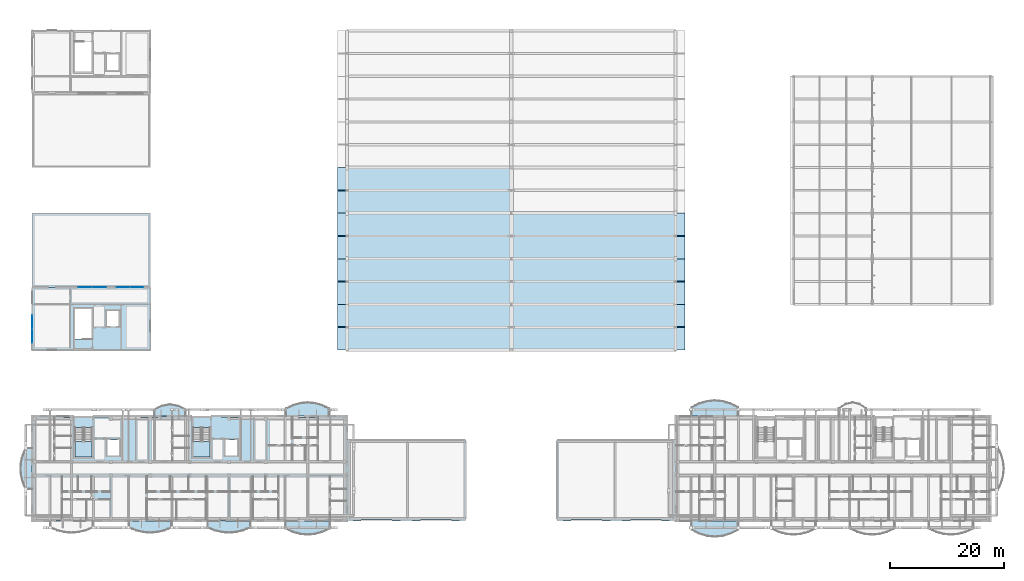
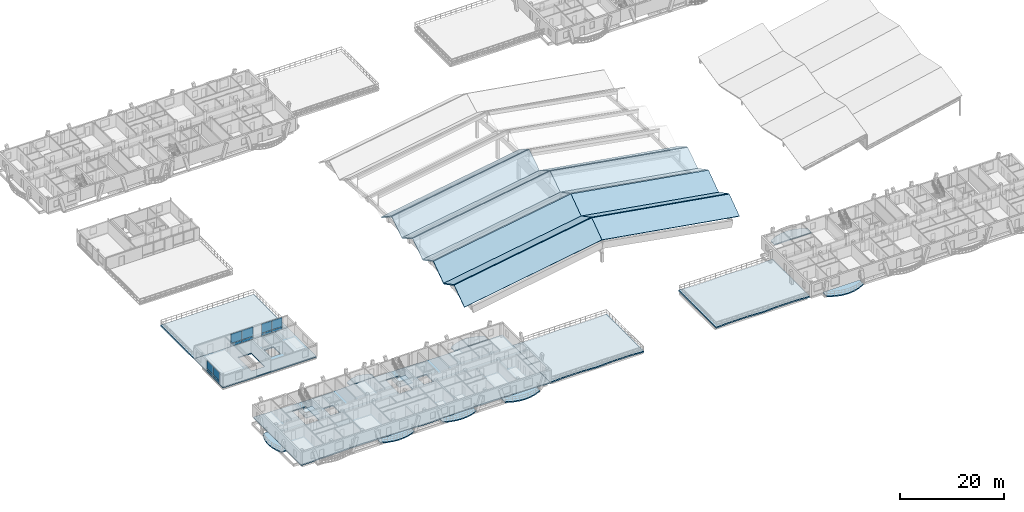
# One storey, part 52 of 109: 29 slabs, 12 plates, 5 elements without a shape of their own.
"""IFC4 building model written with IfcOpenShell, lengths in metres."""

import ifcopenshell
import ifcopenshell.guid

model = None  # the IFC model being written
_history = None  # IfcOwnerHistory: only IFC2X3 demands one
_inside = {}  # id of a spatial element -> (the spatial element, [elements in it])
_under = {}  # id of a project, library or spatial element -> (it, [spatial elements below it])
_declared = {}  # id of a project -> (the project, [libraries it declares])
_typed = {}  # id of a type object -> (the type object, [elements of that type])
_made_of = {}  # id of a material, layer set ... -> (it, [elements and type objects made of it])


def new_model(schema):
    """Start an empty IFC model of exactly this schema.

    Asked for "IFC4X3", IfcOpenShell would pick the latest addendum, in which some entities
    have other attributes; the version numbers below select the first issue.
    IFC2X3 requires an IfcOwnerHistory on every rooted entity: one is made here for all.
    """
    global model, _history
    if schema == "IFC4X3":
        model = ifcopenshell.file(schema_version=(4, 3, 0, 0))
    else:
        model = ifcopenshell.file(schema=schema)
    _inside.clear()
    _under.clear()
    _declared.clear()
    _typed.clear()
    _made_of.clear()
    _history = None
    if model.schema == "IFC2X3":
        org = make("IfcOrganization", Name="unknown")
        user = make(
            "IfcPersonAndOrganization",
            ThePerson=make("IfcPerson", FamilyName="unknown"),
            TheOrganization=org,
        )
        app = make(
            "IfcApplication",
            ApplicationDeveloper=org,
            Version="unknown",
            ApplicationFullName="unknown",
            ApplicationIdentifier="unknown",
        )
        _history = make(
            "IfcOwnerHistory",
            OwningUser=user,
            OwningApplication=app,
            ChangeAction="ADDED",
            CreationDate=0,
        )
    return model


def make(cls, **values):
    """One entity of the class cls with the attributes given. An attribute that is None is left unset."""
    return model.create_entity(
        cls, **{name: value for name, value in values.items() if value is not None}
    )


def rooted(cls, **values):
    """An entity with a GlobalId (a new one), such as an element, a storey or a relation."""
    return make(cls, GlobalId=ifcopenshell.guid.new(), OwnerHistory=_history, **values)


def si_unit(unit_type, name, prefix=None):
    """IfcSIUnit, for example si_unit("LENGTHUNIT", "METRE", prefix="MILLI")."""
    return make("IfcSIUnit", UnitType=unit_type, Prefix=prefix, Name=name)


def assignment(units):
    """IfcUnitAssignment: the units of a project."""
    return None if units is None else make("IfcUnitAssignment", Units=units)


def point(xyz):
    """IfcCartesianPoint."""
    return None if xyz is None else make("IfcCartesianPoint", Coordinates=xyz)


def direction(xyz):
    """IfcDirection."""
    return None if xyz is None else make("IfcDirection", DirectionRatios=xyz)


def frame(location, z_axis=None, x_axis=None):
    """IfcAxis2Placement3D, a coordinate frame: its origin and axes. An axis left out is left unset."""
    return make(
        "IfcAxis2Placement3D",
        Location=point(location),
        Axis=direction(z_axis),
        RefDirection=direction(x_axis),
    )


def frame_2d(location, x_axis=None):
    """IfcAxis2Placement2D, a coordinate frame in the plane: its origin and x axis."""
    return make(
        "IfcAxis2Placement2D", Location=point(location), RefDirection=direction(x_axis)
    )


def origin():
    """The frame at (0, 0, 0) with its axes left unset."""
    return frame((0.0, 0.0, 0.0))


def origin_2d():
    """The frame at (0, 0) in the plane with its x axis left unset."""
    return frame_2d((0.0, 0.0))


def place(relative_to, where):
    """IfcLocalPlacement: puts the frame where relative to a parent placement (None: the world)."""
    return make(
        "IfcLocalPlacement", PlacementRelTo=relative_to, RelativePlacement=where
    )


def context(
    kind, dimensions, precision=None, world=None, true_north=None, identifier=None
):
    """IfcGeometricRepresentationContext, for example the 3D "Model" context."""
    return make(
        "IfcGeometricRepresentationContext",
        ContextIdentifier=identifier,
        ContextType=kind,
        CoordinateSpaceDimension=dimensions,
        Precision=precision,
        WorldCoordinateSystem=world,
        TrueNorth=true_north,
    )


def subcontext(parent, identifier, kind, view, scale=None):
    """IfcGeometricRepresentationSubContext, for example "Body" below "Model"."""
    return make(
        "IfcGeometricRepresentationSubContext",
        ContextIdentifier=identifier,
        ContextType=kind,
        ParentContext=parent,
        TargetScale=scale,
        TargetView=view,
    )


def project(units=None, contexts=None):
    """IfcProject with its units and contexts."""
    return rooted(
        "IfcProject",
        Name="project",
        RepresentationContexts=contexts,
        UnitsInContext=assignment(units),
    )


def spatial(cls, under=None, at=None, **own):
    """A site, building, storey or space (cls), placed at a placement, below another one or the project."""
    s = rooted(cls, ObjectPlacement=at, **own)
    if under is not None:
        _under.setdefault(under.id(), (under, []))[1].append(s)
    return s


def polyline(points):
    """IfcPolyline through the points."""
    return make("IfcPolyline", Points=[point(p) for p in points])


def profile(cls, at=None, kind="AREA", **sizes):
    """A parametric profile (cls). Its sizes go by their IFC names, for example OverallWidth=200.0."""
    return make(cls, ProfileType=kind, Position=at, **sizes)


def rectangle(**sizes):
    """IfcRectangleProfileDef."""
    return profile("IfcRectangleProfileDef", **sizes)


def outline(outer, holes=None, kind="AREA"):
    """IfcArbitraryClosedProfileDef: a profile drawn as a closed curve; with holes, ...WithVoids."""
    if holes is None:
        return make("IfcArbitraryClosedProfileDef", ProfileType=kind, OuterCurve=outer)
    return make(
        "IfcArbitraryProfileDefWithVoids",
        ProfileType=kind,
        OuterCurve=outer,
        InnerCurves=holes,
    )


def extrude(swept, where, along, depth):
    """IfcExtrudedAreaSolid: the profile swept, set in the frame where, extruded along a direction by depth."""
    return make(
        "IfcExtrudedAreaSolid",
        SweptArea=swept,
        Position=where,
        ExtrudedDirection=direction(along),
        Depth=depth,
    )


def shape(context_of_items, identifier, shape_type, items):
    """IfcShapeRepresentation: the items that make up one representation, for example the "Body"."""
    return make(
        "IfcShapeRepresentation",
        ContextOfItems=context_of_items,
        RepresentationIdentifier=identifier,
        RepresentationType=shape_type,
        Items=items,
    )


def material(Name=None, Category=None):
    """IfcMaterial."""
    return make("IfcMaterial", Name=Name, Category=Category)


def layer(
    of_material, thickness, ventilated=None, Name=None, Category=None, Priority=None
):
    """IfcMaterialLayer: one layer of a wall or slab, of a material (None: an air gap)."""
    return make(
        "IfcMaterialLayer",
        Material=of_material,
        LayerThickness=thickness,
        IsVentilated=ventilated,
        Name=Name,
        Category=Category,
        Priority=Priority,
    )


def layer_set(layers, Name=None):
    """IfcMaterialLayerSet."""
    return make("IfcMaterialLayerSet", MaterialLayers=layers, LayerSetName=Name)


def made_of(thing, what):
    """Note that an element or type object is made of a material, layer set ...; save() writes the relation."""
    if what is not None:
        _made_of.setdefault(what.id(), (what, []))[1].append(thing)
    return thing


def type_object(cls, material=None, **own):
    """A type object (cls), such as IfcWallType, which elements share."""
    return made_of(rooted(cls, **own), material)


def element(
    cls,
    number,
    at=None,
    inside=None,
    cuts=None,
    type_object=None,
    material=None,
    context=None,
    identifier="Body",
    shape_type=None,
    held_by="IfcProductDefinitionShape",
    body=None,
    shapes=None,
    **own,
):
    """One element of the class cls, such as IfcWall. Its Tag is "e" and its number.

    at: its placement. inside: the storey or other place that contains it. cuts: it is an
    opening in that element (IfcRelVoidsElement). A single representation is given by context,
    identifier, shape_type and body (its items); several are given by shapes. held_by: the class
    of the entity that holds the representations. save() writes the other relations.
    """
    e = rooted(cls, Tag="e%d" % number, ObjectPlacement=at, **own)
    if body is not None:
        shapes = [shape(context, identifier, shape_type, body)]
    if shapes is not None:
        e.Representation = make(held_by, Representations=shapes)
    if inside is not None:
        _inside.setdefault(inside.id(), (inside, []))[1].append(e)
    if cuts is not None:
        rooted(
            "IfcRelVoidsElement", RelatingBuildingElement=cuts, RelatedOpeningElement=e
        )
    if type_object is not None:
        _typed.setdefault(type_object.id(), (type_object, []))[1].append(e)
    return made_of(e, material)


def aggregate(whole, parts):
    """IfcRelAggregates: a whole, such as a stair, and the parts it consists of."""
    return rooted("IfcRelAggregates", RelatingObject=whole, RelatedObjects=parts)


def save(model, path):
    """Write the relations noted so far, then the file.

    IfcRelAggregates (storeys below a building ...), IfcRelContainedInSpatialStructure (elements
    in a storey), IfcRelDefinesByType, IfcRelAssociatesMaterial and IfcRelDeclares: one each for
    every whole, place, type object, material and project.
    """
    for whole, parts in _under.values():
        aggregate(whole, parts)
    for where, things in _inside.values():
        rooted(
            "IfcRelContainedInSpatialStructure",
            RelatedElements=things,
            RelatingStructure=where,
        )
    for kind, things in _typed.values():
        rooted("IfcRelDefinesByType", RelatedObjects=things, RelatingType=kind)
    for what, things in _made_of.values():
        rooted("IfcRelAssociatesMaterial", RelatedObjects=things, RelatingMaterial=what)
    for by, libraries in _declared.values():
        rooted("IfcRelDeclares", RelatingContext=by, RelatedDefinitions=libraries)
    model.write(path)


model = new_model("IFC4")

# Units and contexts
model_context = context("Model", 3, precision=1e-05, world=origin(), true_north=direction((0.0, 1.0)))
body_context = subcontext(model_context, "Body", "Model", "MODEL_VIEW")
ifc_project = project(units=[si_unit("LENGTHUNIT", "METRE"), si_unit("AREAUNIT", "SQUARE_METRE"), si_unit("VOLUMEUNIT", "CUBIC_METRE"), si_unit("PLANEANGLEUNIT", "RADIAN"), si_unit("MASSUNIT", "GRAM", prefix="KILO")], contexts=[model_context])

# Site, building, storey
site_placement = place(None, origin())
site = spatial("IfcSite", under=ifc_project, at=site_placement, CompositionType="ELEMENT")
building_placement = place(site_placement, origin())
building = spatial("IfcBuilding", under=site, at=building_placement, Name="Zavelmont Quarter", CompositionType="ELEMENT")
storey_placement = place(building_placement, frame((0.0, 0.0, 8.0)))
storey = spatial("IfcBuildingStorey", under=building, at=storey_placement, Name="L02", CompositionType="ELEMENT", Elevation=8.0)

# Curtain wall, plates
ifc_material_1 = material(Name="Thermally broken aluminium and double low-E safety glazing", Category="aluminium")
curtain_wall_type_1 = type_object("IfcCurtainWallType", Name="CW-470X299", PredefinedType="NOTDEFINED", material=ifc_material_1)
curtain_wall_1_placement = place(storey_placement, origin())
curtain_wall_1 = element("IfcCurtainWall", 1, at=curtain_wall_1_placement, inside=storey, type_object=curtain_wall_type_1, Name="L02 unitised curtain wall CW-470X299", PredefinedType="NOTDEFINED")
ifc_material_2 = material(Name="Insulated anodised-aluminium spandrel panel", Category="aluminium")
ifc_layer_1 = layer(ifc_material_2, 0.0400390625)
ifc_layer_set_1 = layer_set([ifc_layer_1], Name="Insulated anodised-aluminium spandrel panel")
plate_type_1 = type_object("IfcPlateType", Name="CWP-SPD-2260X630", PredefinedType="CURTAIN_PANEL", material=ifc_layer_set_1)
plate_1_placement = place(storey_placement, frame((15.989990234375, 41.0, 0.06005859375), z_axis=(0.0, 0.0, 1.0), x_axis=(1.0, 0.0, 0.0)))
plate_1 = element("IfcPlate", 2, at=plate_1_placement, type_object=plate_type_1, Name="CW-470X299 panel 1.1", PredefinedType="CURTAIN_PANEL", context=body_context, shape_type="SweptSolid", body=[
    extrude(rectangle(XDim=2.260009765625, YDim=0.0400390625, at=origin_2d()), origin(), (0.0, 0.0, 1.0), 0.6279296875),
])
plate_2_placement = place(storey_placement, frame((18.31005859375, 41.0, 0.06005859375), z_axis=(0.0, 0.0, 1.0), x_axis=(1.0, 0.0, 0.0)))
plate_2 = element("IfcPlate", 3, at=plate_2_placement, type_object=plate_type_1, Name="CW-470X299 panel 2.1", PredefinedType="CURTAIN_PANEL", context=body_context, shape_type="SweptSolid", body=[
    extrude(rectangle(XDim=2.260009765625, YDim=0.0400390625, at=origin_2d()), origin(), (0.0, 0.0, 1.0), 0.6279296875),
])

curtain_wall_type_2 = type_object("IfcCurtainWallType", Name="CW-500X262", PredefinedType="NOTDEFINED", material=ifc_material_1)
curtain_wall_2_placement = place(storey_placement, origin())
curtain_wall_2 = element("IfcCurtainWall", 4, at=curtain_wall_2_placement, inside=storey, type_object=curtain_wall_type_2, Name="L02 unitised curtain wall CW-500X262", PredefinedType="NOTDEFINED")
ifc_layer_2 = layer(ifc_material_2, 0.0400390625)
ifc_layer_set_2 = layer_set([ifc_layer_2], Name="Insulated anodised-aluminium spandrel panel")
plate_type_2 = type_object("IfcPlateType", Name="CWP-SPD-2410X540", PredefinedType="CURTAIN_PANEL", material=ifc_layer_set_2)
plate_3_placement = place(storey_placement, frame((0.0, 32.465087890625, 0.06005859375), z_axis=(0.0, 0.0, 1.0), x_axis=(0.0, 1.0, 0.0)))
plate_3 = element("IfcPlate", 5, at=plate_3_placement, type_object=plate_type_2, Name="CW-500X262 panel 1.1", PredefinedType="CURTAIN_PANEL", context=body_context, shape_type="SweptSolid", body=[
    extrude(rectangle(XDim=2.409912109375, YDim=0.0400390625, at=origin_2d()), origin(), (0.0, 0.0, 1.0), 0.5390625),
])
plate_4_placement = place(storey_placement, frame((0.0, 34.93505859375, 0.06005859375), z_axis=(0.0, 0.0, 1.0), x_axis=(0.0, 1.0, 0.0)))
plate_4 = element("IfcPlate", 6, at=plate_4_placement, type_object=plate_type_2, Name="CW-500X262 panel 2.1", PredefinedType="CURTAIN_PANEL", context=body_context, shape_type="SweptSolid", body=[
    extrude(rectangle(XDim=2.409912109375, YDim=0.0400390625, at=origin_2d()), origin(), (0.0, 0.0, 1.0), 0.5390625),
])

curtain_wall_type_3 = type_object("IfcCurtainWallType", Name="CW-500X299", PredefinedType="NOTDEFINED", material=ifc_material_1)
curtain_wall_3_placement = place(storey_placement, origin())
curtain_wall_3 = element("IfcCurtainWall", 7, at=curtain_wall_3_placement, inside=storey, type_object=curtain_wall_type_3, Name="L02 unitised curtain wall CW-500X299", PredefinedType="NOTDEFINED")
ifc_layer_3 = layer(ifc_material_2, 0.0400390625)
ifc_layer_set_3 = layer_set([ifc_layer_3], Name="Insulated anodised-aluminium spandrel panel")
plate_type_3 = type_object("IfcPlateType", Name="CWP-SPD-2410X630", PredefinedType="CURTAIN_PANEL", material=ifc_layer_set_3)
plate_5_placement = place(storey_placement, frame((9.264892578125, 41.0, 0.06005859375), z_axis=(0.0, 0.0, 1.0), x_axis=(1.0, 0.0, 0.0)))
plate_5 = element("IfcPlate", 8, at=plate_5_placement, type_object=plate_type_3, Name="CW-500X299 panel 1.1", PredefinedType="CURTAIN_PANEL", context=body_context, shape_type="SweptSolid", body=[
    extrude(rectangle(XDim=2.409912109375, YDim=0.0400390625, at=origin_2d()), origin(), (0.0, 0.0, 1.0), 0.6279296875),
])
plate_6_placement = place(storey_placement, frame((11.735107421875, 41.0, 0.06005859375), z_axis=(0.0, 0.0, 1.0), x_axis=(1.0, 0.0, 0.0)))
plate_6 = element("IfcPlate", 9, at=plate_6_placement, type_object=plate_type_3, Name="CW-500X299 panel 2.1", PredefinedType="CURTAIN_PANEL", context=body_context, shape_type="SweptSolid", body=[
    extrude(rectangle(XDim=2.409912109375, YDim=0.0400390625, at=origin_2d()), origin(), (0.0, 0.0, 1.0), 0.6279296875),
])

# Plate
ifc_material_3 = material(Name="Double low-E insulated vision glass", Category="glass")
ifc_layer_4 = layer(ifc_material_3, 0.028076171875)
ifc_layer_set_4 = layer_set([ifc_layer_4], Name="Double low-E insulated vision glass")
plate_type_4 = type_object("IfcPlateType", Name="CWP-VIS-2260X2180", PredefinedType="CURTAIN_PANEL", material=ifc_layer_set_4)
plate_7_placement = place(storey_placement, frame((15.989990234375, 41.0, 0.748046875), z_axis=(0.0, 0.0, 1.0), x_axis=(1.0, 0.0, 0.0)))
plate_7 = element("IfcPlate", 10, at=plate_7_placement, type_object=plate_type_4, Name="CW-470X299 panel 1.2", PredefinedType="CURTAIN_PANEL", context=body_context, shape_type="SweptSolid", body=[
    extrude(rectangle(XDim=2.260009765625, YDim=0.028076171875, at=origin_2d()), origin(), (0.0, 0.0, 1.0), 2.181884765625),
])

plate_8_placement = place(storey_placement, frame((18.31005859375, 41.0, 0.748046875), z_axis=(0.0, 0.0, 1.0), x_axis=(1.0, 0.0, 0.0)))
plate_8 = element("IfcPlate", 11, at=plate_8_placement, type_object=plate_type_4, Name="CW-470X299 panel 2.2", PredefinedType="CURTAIN_PANEL", context=body_context, shape_type="SweptSolid", body=[
    extrude(rectangle(XDim=2.260009765625, YDim=0.028076171875, at=origin_2d()), origin(), (0.0, 0.0, 1.0), 2.181884765625),
])

aggregate(curtain_wall_1, [plate_1, plate_7, plate_2, plate_8])

ifc_layer_5 = layer(ifc_material_3, 0.028076171875)
ifc_layer_set_5 = layer_set([ifc_layer_5], Name="Double low-E insulated vision glass")
plate_type_5 = type_object("IfcPlateType", Name="CWP-VIS-2410X1900", PredefinedType="CURTAIN_PANEL", material=ifc_layer_set_5)
plate_9_placement = place(storey_placement, frame((0.0, 32.465087890625, 0.6591796875), z_axis=(0.0, 0.0, 1.0), x_axis=(0.0, 1.0, 0.0)))
plate_9 = element("IfcPlate", 12, at=plate_9_placement, type_object=plate_type_5, Name="CW-500X262 panel 1.2", PredefinedType="CURTAIN_PANEL", context=body_context, shape_type="SweptSolid", body=[
    extrude(rectangle(XDim=2.409912109375, YDim=0.028076171875, at=origin_2d()), origin(), (0.0, 0.0, 1.0), 1.90087890625),
])

plate_10_placement = place(storey_placement, frame((0.0, 34.93505859375, 0.6591796875), z_axis=(0.0, 0.0, 1.0), x_axis=(0.0, 1.0, 0.0)))
plate_10 = element("IfcPlate", 13, at=plate_10_placement, type_object=plate_type_5, Name="CW-500X262 panel 2.2", PredefinedType="CURTAIN_PANEL", context=body_context, shape_type="SweptSolid", body=[
    extrude(rectangle(XDim=2.409912109375, YDim=0.028076171875, at=origin_2d()), origin(), (0.0, 0.0, 1.0), 1.90087890625),
])

aggregate(curtain_wall_2, [plate_3, plate_9, plate_4, plate_10])

ifc_layer_6 = layer(ifc_material_3, 0.028076171875)
ifc_layer_set_6 = layer_set([ifc_layer_6], Name="Double low-E insulated vision glass")
plate_type_6 = type_object("IfcPlateType", Name="CWP-VIS-2410X2180", PredefinedType="CURTAIN_PANEL", material=ifc_layer_set_6)
plate_11_placement = place(storey_placement, frame((9.264892578125, 41.0, 0.748046875), z_axis=(0.0, 0.0, 1.0), x_axis=(1.0, 0.0, 0.0)))
plate_11 = element("IfcPlate", 14, at=plate_11_placement, type_object=plate_type_6, Name="CW-500X299 panel 1.2", PredefinedType="CURTAIN_PANEL", context=body_context, shape_type="SweptSolid", body=[
    extrude(rectangle(XDim=2.409912109375, YDim=0.028076171875, at=origin_2d()), origin(), (0.0, 0.0, 1.0), 2.181884765625),
])

plate_12_placement = place(storey_placement, frame((11.735107421875, 41.0, 0.748046875), z_axis=(0.0, 0.0, 1.0), x_axis=(1.0, 0.0, 0.0)))
plate_12 = element("IfcPlate", 15, at=plate_12_placement, type_object=plate_type_6, Name="CW-500X299 panel 2.2", PredefinedType="CURTAIN_PANEL", context=body_context, shape_type="SweptSolid", body=[
    extrude(rectangle(XDim=2.409912109375, YDim=0.028076171875, at=origin_2d()), origin(), (0.0, 0.0, 1.0), 2.181884765625),
])

aggregate(curtain_wall_3, [plate_5, plate_11, plate_6, plate_12])

# Slabs
ifc_material_4 = material(Name="Concrete C40/50", Category="concrete")
ifc_layer_7 = layer(ifc_material_4, 0.2451171875)
ifc_layer_set_7 = layer_set([ifc_layer_7], Name="Concrete C40/50")
slab_type_1 = type_object("IfcSlabType", Name="RF01", PredefinedType="ROOF", material=ifc_layer_set_7)
slab_1_placement = place(storey_placement, frame((53.5, 30.0, 0.0), z_axis=(-0.134549416956, -0.578286530347, 0.80466212985), x_axis=(0.986306298358, 1.83687e-06, 0.164923878854)))
element("IfcSlab", 16, at=slab_1_placement, inside=storey, type_object=slab_type_1, Name="Community Hall folded-plate roof RF01", PredefinedType="ROOF", context=body_context, shape_type="SweptSolid", body=[
    extrude(outline(polyline([(0.0, 0.0), (30.92346998791757, 0.0), (31.386882668387372, 4.792464777331073), (0.4634529450886646, 4.792604027184586), (0.0, 0.0)])), origin(), (0.0, 0.0, -1.0), 0.2451171875),
])
ifc_layer_8 = layer(ifc_material_4, 0.2451171875)
ifc_layer_set_8 = layer_set([ifc_layer_8], Name="Concrete C40/50")
slab_type_2 = type_object("IfcSlabType", Name="RF02", PredefinedType="ROOF", material=ifc_layer_set_8)
slab_2_placement = place(storey_placement, frame((53.5, 34.090087890625, 2.826904296875), z_axis=(-0.146090682855, 0.464080538285, 0.873662844791), x_axis=(0.98630587097, 0.0, 0.164926434783)))
element("IfcSlab", 17, at=slab_2_placement, inside=storey, type_object=slab_type_2, Name="Community Hall folded-plate roof RF02", PredefinedType="ROOF", context=body_context, shape_type="SweptSolid", body=[
    extrude(outline(polyline([(0.0, 0.0), (30.92346998807357, 0.0), (30.58093356700462, 4.4140245764671935), (-0.34253642106894794, 4.414024576467193), (0.0, 0.0)])), origin(), (0.0, 0.0, -1.0), 0.2451171875),
])
ifc_layer_9 = layer(ifc_material_4, 0.2451171875)
ifc_layer_set_9 = layer_set([ifc_layer_9], Name="Concrete C40/50")
slab_type_3 = type_object("IfcSlabType", Name="RF03", PredefinedType="ROOF", material=ifc_layer_set_9)
slab_3_placement = place(storey_placement, frame((84.0, 30.0, 5.10009765625), z_axis=(0.134549416956, -0.578286530347, 0.80466212985), x_axis=(0.986306298358, -1.83687e-06, -0.164923878854)))
element("IfcSlab", 18, at=slab_3_placement, inside=storey, type_object=slab_type_3, Name="Community Hall folded-plate roof RF03", PredefinedType="ROOF", context=body_context, shape_type="SweptSolid", body=[
    extrude(outline(polyline([(0.0, 0.0), (30.92346998791757, 0.0), (30.460017042828905, 4.792604027184586), (-0.46341268046980383, 4.792464777331073), (0.0, 0.0)])), origin(), (0.0, 0.0, -1.0), 0.2451171875),
])
ifc_layer_10 = layer(ifc_material_4, 0.2451171875)
ifc_layer_set_10 = layer_set([ifc_layer_10], Name="Concrete C40/50")
slab_type_4 = type_object("IfcSlabType", Name="RF04", PredefinedType="ROOF", material=ifc_layer_set_10)
slab_4_placement = place(storey_placement, frame((84.0, 34.090087890625, 7.927001953125), z_axis=(0.146090682855, 0.464080538285, 0.873662844791), x_axis=(0.98630587097, 0.0, -0.164926434783)))
element("IfcSlab", 19, at=slab_4_placement, inside=storey, type_object=slab_type_4, Name="Community Hall folded-plate roof RF04", PredefinedType="ROOF", context=body_context, shape_type="SweptSolid", body=[
    extrude(outline(polyline([(0.0, 0.0), (30.92346998807357, 0.0), (31.26600640914252, 4.414024576467193), (0.34253642106894794, 4.414024576467193), (0.0, 0.0)])), origin(), (0.0, 0.0, -1.0), 0.2451171875),
])
ifc_layer_11 = layer(ifc_material_4, 0.2451171875)
ifc_layer_set_11 = layer_set([ifc_layer_11], Name="Concrete C40/50")
slab_type_5 = type_object("IfcSlabType", Name="RF05", PredefinedType="ROOF", material=ifc_layer_set_11)
slab_5_placement = place(storey_placement, frame((53.5, 38.0, 0.75), z_axis=(-0.134549416956, -0.578286530347, 0.80466212985), x_axis=(0.986306298358, 1.83687e-06, 0.164923878854)))
element("IfcSlab", 20, at=slab_5_placement, inside=storey, type_object=slab_type_5, Name="Community Hall folded-plate roof RF05", PredefinedType="ROOF", context=body_context, shape_type="SweptSolid", body=[
    extrude(outline(polyline([(0.0, 0.0), (30.92346998791757, 0.0), (31.386882668387372, 4.792464777331073), (0.4634529450886646, 4.792604027184586), (0.0, 0.0)])), origin(), (0.0, 0.0, -1.0), 0.2451171875),
])
ifc_layer_12 = layer(ifc_material_4, 0.2451171875)
ifc_layer_set_12 = layer_set([ifc_layer_12], Name="Concrete C40/50")
slab_type_6 = type_object("IfcSlabType", Name="RF06", PredefinedType="ROOF", material=ifc_layer_set_12)
slab_6_placement = place(storey_placement, frame((53.5, 42.090087890625, 3.576904296875), z_axis=(-0.146090682855, 0.464080538285, 0.873662844791), x_axis=(0.98630587097, 0.0, 0.164926434783)))
element("IfcSlab", 21, at=slab_6_placement, inside=storey, type_object=slab_type_6, Name="Community Hall folded-plate roof RF06", PredefinedType="ROOF", context=body_context, shape_type="SweptSolid", body=[
    extrude(outline(polyline([(0.0, 0.0), (30.92346998807357, 0.0), (30.58093356700462, 4.4140245764671935), (-0.34253642106894794, 4.414024576467193), (0.0, 0.0)])), origin(), (0.0, 0.0, -1.0), 0.2451171875),
])
ifc_layer_13 = layer(ifc_material_4, 0.2451171875)
ifc_layer_set_13 = layer_set([ifc_layer_13], Name="Concrete C40/50")
slab_type_7 = type_object("IfcSlabType", Name="RF07", PredefinedType="ROOF", material=ifc_layer_set_13)
slab_7_placement = place(storey_placement, frame((84.0, 38.0, 5.85009765625), z_axis=(0.134549416956, -0.578286530347, 0.80466212985), x_axis=(0.986306298358, -1.83687e-06, -0.164923878854)))
element("IfcSlab", 22, at=slab_7_placement, inside=storey, type_object=slab_type_7, Name="Community Hall folded-plate roof RF07", PredefinedType="ROOF", context=body_context, shape_type="SweptSolid", body=[
    extrude(outline(polyline([(0.0, 0.0), (30.92346998791757, 0.0), (30.460017042828905, 4.792604027184586), (-0.46341268046980383, 4.792464777331073), (0.0, 0.0)])), origin(), (0.0, 0.0, -1.0), 0.2451171875),
])
ifc_layer_14 = layer(ifc_material_4, 0.2451171875)
ifc_layer_set_14 = layer_set([ifc_layer_14], Name="Concrete C40/50")
slab_type_8 = type_object("IfcSlabType", Name="RF08", PredefinedType="ROOF", material=ifc_layer_set_14)
slab_8_placement = place(storey_placement, frame((84.0, 42.090087890625, 8.677001953125), z_axis=(0.146090682855, 0.464080538285, 0.873662844791), x_axis=(0.98630587097, 0.0, -0.164926434783)))
element("IfcSlab", 23, at=slab_8_placement, inside=storey, type_object=slab_type_8, Name="Community Hall folded-plate roof RF08", PredefinedType="ROOF", context=body_context, shape_type="SweptSolid", body=[
    extrude(outline(polyline([(0.0, 0.0), (30.92346998807357, 0.0), (31.26600640914252, 4.414024576467193), (0.34253642106894794, 4.414024576467193), (0.0, 0.0)])), origin(), (0.0, 0.0, -1.0), 0.2451171875),
])
ifc_layer_15 = layer(ifc_material_4, 0.2451171875)
ifc_layer_set_15 = layer_set([ifc_layer_15], Name="Concrete C40/50")
slab_type_9 = type_object("IfcSlabType", Name="RF09", PredefinedType="ROOF", material=ifc_layer_set_15)
slab_9_placement = place(storey_placement, frame((53.5, 46.0, 1.5), z_axis=(-0.138453795712, -0.543377919728, 0.827992139338), x_axis=(0.98630587097, 0.0, 0.164926434783)))
element("IfcSlab", 24, at=slab_9_placement, inside=storey, type_object=slab_type_9, Name="Community Hall folded-plate roof RF09", PredefinedType="ROOF", context=body_context, shape_type="SweptSolid", body=[
    extrude(outline(polyline([(0.0, 0.0), (30.92346998807357, 0.0), (31.34665769060497, 4.6574950234882255), (0.4231877025314027, 4.6574950234882255), (0.0, 0.0)])), origin(), (0.0, 0.0, -1.0), 0.2451171875),
])
ifc_layer_16 = layer(ifc_material_4, 0.2451171875)
ifc_layer_set_16 = layer_set([ifc_layer_16], Name="Concrete C40/50")
slab_type_10 = type_object("IfcSlabType", Name="RF10", PredefinedType="ROOF", material=ifc_layer_set_16)
slab_10_placement = place(storey_placement, frame((53.5, 50.090087890625, 4.072021484375), z_axis=(-0.142310180399, 0.505424808475, 0.851054390467), x_axis=(0.98630587097, 0.0, 0.164926434783)))
element("IfcSlab", 25, at=slab_10_placement, inside=storey, type_object=slab_type_10, Name="Community Hall folded-plate roof RF10", PredefinedType="ROOF", context=body_context, shape_type="SweptSolid", body=[
    extrude(outline(polyline([(0.0, 0.0), (30.92346998807357, 0.0), (30.540507263166226, 4.5312841478181305), (-0.3829627249073427, 4.531284147818131), (0.0, 0.0)])), origin(), (0.0, 0.0, -1.0), 0.2451171875),
])
ifc_layer_17 = layer(ifc_material_4, 0.2451171875)
ifc_layer_set_17 = layer_set([ifc_layer_17], Name="Concrete C40/50")
slab_type_11 = type_object("IfcSlabType", Name="RF11", PredefinedType="ROOF", material=ifc_layer_set_17)
slab_11_placement = place(storey_placement, frame((84.0, 46.0, 6.60009765625), z_axis=(0.138453795712, -0.543377919728, 0.827992139338), x_axis=(0.98630587097, 0.0, -0.164926434783)))
element("IfcSlab", 26, at=slab_11_placement, inside=storey, type_object=slab_type_11, Name="Community Hall folded-plate roof RF11", PredefinedType="ROOF", context=body_context, shape_type="SweptSolid", body=[
    extrude(outline(polyline([(0.0, 0.0), (30.92346998807357, 0.0), (30.500282285542166, 4.6574950234882255), (-0.4231877025314027, 4.6574950234882255), (0.0, 0.0)])), origin(), (0.0, 0.0, -1.0), 0.2451171875),
])
ifc_layer_18 = layer(ifc_material_4, 0.2451171875)
ifc_layer_set_18 = layer_set([ifc_layer_18], Name="Concrete C40/50")
slab_type_12 = type_object("IfcSlabType", Name="RF12", PredefinedType="ROOF", material=ifc_layer_set_18)
slab_12_placement = place(storey_placement, frame((84.0, 50.090087890625, 9.172119140625), z_axis=(0.142310180399, 0.505424808475, 0.851054390467), x_axis=(0.98630587097, 0.0, -0.164926434783)))
element("IfcSlab", 27, at=slab_12_placement, inside=storey, type_object=slab_type_12, Name="Community Hall folded-plate roof RF12", PredefinedType="ROOF", context=body_context, shape_type="SweptSolid", body=[
    extrude(outline(polyline([(0.0, 0.0), (30.92346998807357, 0.0), (31.306432712980914, 4.5312841478181305), (0.3829627249073427, 4.531284147818131), (0.0, 0.0)])), origin(), (0.0, 0.0, -1.0), 0.2451171875),
])
ifc_layer_19 = layer(ifc_material_4, 0.2451171875)
ifc_layer_set_19 = layer_set([ifc_layer_19], Name="Concrete C40/50")
slab_type_13 = type_object("IfcSlabType", Name="RF13", PredefinedType="ROOF", material=ifc_layer_set_19)
slab_13_placement = place(storey_placement, frame((53.5, 54.0, 1.75), z_axis=(-0.138453795712, -0.543377919728, 0.827992139338), x_axis=(0.98630587097, 0.0, 0.164926434783)))
element("IfcSlab", 28, at=slab_13_placement, inside=storey, type_object=slab_type_13, Name="Community Hall folded-plate roof RF13", PredefinedType="ROOF", context=body_context, shape_type="SweptSolid", body=[
    extrude(outline(polyline([(0.0, 0.0), (30.92346998807357, 0.0), (31.34665769060497, 4.6574950234882255), (0.4231877025314027, 4.6574950234882255), (0.0, 0.0)])), origin(), (0.0, 0.0, -1.0), 0.2451171875),
])
ifc_layer_20 = layer(ifc_material_4, 0.2451171875)
ifc_layer_set_20 = layer_set([ifc_layer_20], Name="Concrete C40/50")
slab_type_14 = type_object("IfcSlabType", Name="RF14", PredefinedType="ROOF", material=ifc_layer_set_20)
slab_14_placement = place(storey_placement, frame((53.5, 58.090087890625, 4.31591796875), z_axis=(-0.138453795712, 0.543377919728, 0.827992139338), x_axis=(0.98630587097, 0.0, 0.164926434783)))
element("IfcSlab", 29, at=slab_14_placement, inside=storey, type_object=slab_type_14, Name="Community Hall folded-plate roof RF14", PredefinedType="ROOF", context=body_context, shape_type="SweptSolid", body=[
    extrude(outline(polyline([(0.0, 0.0), (30.92346998807357, 0.0), (30.500282285542166, 4.6574950234882255), (-0.4231877025314027, 4.6574950234882255), (0.0, 0.0)])), origin(), (0.0, 0.0, -1.0), 0.2451171875),
])
ifc_material_5 = material(Name="White architectural precast concrete C40/50", Category="concrete")
ifc_layer_21 = layer(ifc_material_5, 0.235107421875)
ifc_layer_set_21 = layer_set([ifc_layer_21], Name="White architectural precast concrete C40/50")
slab_type_15 = type_object("IfcSlabType", Name="SL-BL180", PredefinedType="FLOOR", material=ifc_layer_set_21)
slab_15_placement = place(storey_placement, frame((0.0, 0.0, -0.235107421875)))
element("IfcSlab", 30, at=slab_15_placement, inside=storey, type_object=slab_type_15, Name="L02 Block A street vase 3 balcony SL-BL180", PredefinedType="FLOOR", context=body_context, shape_type="SweptSolid", body=[
    extrude(outline(polyline([(30.785888671875, -0.02001953125), (30.785888671875, -1.13623046875), (32.02392578125, -1.632080078125), (33.261962890625, -1.9296875), (34.5, -2.029052734375), (35.738037109375, -1.9296875), (36.97607421875, -1.632080078125), (38.214111328125, -1.13623046875), (38.214111328125, -0.02001953125), (30.785888671875, -0.02001953125)])), origin(), (0.0, 0.0, 1.0), 0.235107421875),
])
slab_16_placement = place(storey_placement, frame((0.0, 0.0, -0.235107421875)))
element("IfcSlab", 31, at=slab_16_placement, inside=storey, type_object=slab_type_15, Name="L02 Block A courtyard outer vase balcony SL-BL180", PredefinedType="FLOOR", context=body_context, shape_type="SweptSolid", body=[
    extrude(outline(polyline([(52.044921875, 18.419921875), (52.044921875, 19.73291015625), (50.796630859375, 20.314697265625), (49.54833984375, 20.66357421875), (48.300048828125, 20.780029296875), (47.0517578125, 20.66357421875), (45.80322265625, 20.314697265625), (44.554931640625, 19.73291015625), (44.554931640625, 18.419921875), (52.044921875, 18.419921875)])), origin(), (0.0, 0.0, 1.0), 0.235107421875),
])
slab_17_placement = place(storey_placement, frame((0.0, 0.0, -0.235107421875)))
element("IfcSlab", 32, at=slab_17_placement, inside=storey, type_object=slab_type_15, Name="L02 Block D courtyard outer vase balcony SL-BL180", PredefinedType="FLOOR", context=body_context, shape_type="SweptSolid", body=[
    extrude(outline(polyline([(123.761962890625, 18.419921875), (123.761962890625, 19.93212890625), (122.407958984375, 20.60107421875), (121.053955078125, 21.002197265625), (119.699951171875, 21.135986328125), (118.345947265625, 21.002197265625), (116.991943359375, 20.60107421875), (115.637939453125, 19.93212890625), (115.637939453125, 18.419921875), (123.761962890625, 18.419921875)])), origin(), (0.0, 0.0, 1.0), 0.235107421875),
])
ifc_layer_22 = layer(ifc_material_5, 0.2451171875)
ifc_layer_set_22 = layer_set([ifc_layer_22], Name="White architectural precast concrete C40/50")
slab_type_16 = type_object("IfcSlabType", Name="SL-BL200", PredefinedType="FLOOR", material=ifc_layer_set_22)
slab_18_placement = place(storey_placement, frame((0.0, 0.0, -0.2451171875)))
element("IfcSlab", 33, at=slab_18_placement, inside=storey, type_object=slab_type_16, Name="L02 Block A street vase 2 balcony SL-BL200", PredefinedType="FLOOR", context=body_context, shape_type="SweptSolid", body=[
    extrude(outline(polyline([(16.98583984375, -0.02001953125), (16.98583984375, -1.13623046875), (18.223876953125, -1.632080078125), (19.4619140625, -1.9296875), (20.699951171875, -2.029052734375), (21.93798828125, -1.9296875), (23.176025390625, -1.632080078125), (24.414306640625, -1.13623046875), (24.414306640625, -0.02001953125), (16.98583984375, -0.02001953125)])), origin(), (0.0, 0.0, 1.0), 0.2451171875),
])
slab_19_placement = place(storey_placement, frame((0.0, 0.0, -0.2451171875)))
element("IfcSlab", 34, at=slab_19_placement, inside=storey, type_object=slab_type_16, Name="L02 Block A boulevard vase balcony SL-BL200", PredefinedType="FLOOR", context=body_context, shape_type="SweptSolid", body=[
    extrude(outline(polyline([(-0.02001953125, 12.75634765625), (-1.13623046875, 12.75634765625), (-1.632080078125, 11.57080078125), (-1.9296875, 10.385498046875), (-2.029052734375, 9.199951171875), (-1.9296875, 8.0146484375), (-1.632080078125, 6.8291015625), (-1.13623046875, 5.643798828125), (-0.02001953125, 5.643798828125), (-0.02001953125, 12.75634765625)])), origin(), (0.0, 0.0, 1.0), 0.2451171875),
])
ifc_layer_23 = layer(ifc_material_5, 0.2548828125)
ifc_layer_set_23 = layer_set([ifc_layer_23], Name="White architectural precast concrete C40/50")
slab_type_17 = type_object("IfcSlabType", Name="SL-BL220", PredefinedType="FLOOR", material=ifc_layer_set_23)
slab_20_placement = place(storey_placement, frame((0.0, 0.0, -0.2548828125)))
element("IfcSlab", 35, at=slab_20_placement, inside=storey, type_object=slab_type_17, Name="L02 Block A street vase 4 balcony SL-BL220", PredefinedType="FLOOR", context=body_context, shape_type="SweptSolid", body=[
    extrude(outline(polyline([(44.44140625, -0.02001953125), (44.44140625, -1.332763671875), (45.727783203125, -1.91455078125), (47.013916015625, -2.263671875), (48.300048828125, -2.3798828125), (49.586181640625, -2.263671875), (50.872314453125, -1.91455078125), (52.158447265625, -1.332763671875), (52.158447265625, -0.02001953125), (44.44140625, -0.02001953125)])), origin(), (0.0, 0.0, 1.0), 0.2548828125),
])
slab_21_placement = place(storey_placement, frame((0.0, 0.0, -0.2548828125)))
element("IfcSlab", 36, at=slab_21_placement, inside=storey, type_object=slab_type_17, Name="L02 Block A courtyard central vase balcony SL-BL220", PredefinedType="FLOOR", context=body_context, shape_type="SweptSolid", body=[
    extrude(outline(polyline([(26.888916015625, 18.419921875), (26.888916015625, 19.5361328125), (25.519287109375, 20.205810546875), (24.14990234375, 20.428955078125), (22.780517578125, 20.205810546875), (21.4111328125, 19.5361328125), (21.4111328125, 18.419921875), (26.888916015625, 18.419921875)])), origin(), (0.0, 0.0, 1.0), 0.2548828125),
])
slab_22_placement = place(storey_placement, frame((0.0, 0.0, -0.2548828125)))
element("IfcSlab", 37, at=slab_22_placement, inside=storey, type_object=slab_type_17, Name="L02 Block D street vase 1 balcony SL-BL220", PredefinedType="FLOOR", context=body_context, shape_type="SweptSolid", body=[
    extrude(outline(polyline([(115.637939453125, -0.02001953125), (115.637939453125, -1.5322265625), (116.991943359375, -2.200927734375), (118.345947265625, -2.602294921875), (119.699951171875, -2.736083984375), (121.053955078125, -2.602294921875), (122.407958984375, -2.200927734375), (123.761962890625, -1.5322265625), (123.761962890625, -0.02001953125), (115.637939453125, -0.02001953125)])), origin(), (0.0, 0.0, 1.0), 0.2548828125),
])
ifc_material_6 = material(Name="Concrete C35/45", Category="concrete")
ifc_layer_24 = layer(ifc_material_6, 0.27001953125)
ifc_layer_set_24 = layer_set([ifc_layer_24], Name="Concrete C35/45")
slab_type_18 = type_object("IfcSlabType", Name="SL-FL270", PredefinedType="FLOOR", material=ifc_layer_set_24)
slab_23_placement = place(storey_placement, frame((0.0, 0.0, -0.27001953125)))
element("IfcSlab", 38, at=slab_23_placement, inside=storey, type_object=slab_type_18, Name="L02 Block A floor slab SL-FL270", PredefinedType="FLOOR", context=body_context, shape_type="SweptSolid", body=[
    extrude(outline(polyline([(0.0, 0.0), (3.449951171875, 0.041015625), (6.89990234375, 0.139892578125), (10.35009765625, 0.239013671875), (13.800048828125, 0.280029296875), (17.25, 0.239013671875), (20.699951171875, 0.139892578125), (24.14990234375, 0.041015625), (27.60009765625, 0.0), (31.050048828125, 0.041015625), (34.5, 0.139892578125), (37.949951171875, 0.239013671875), (41.39990234375, 0.280029296875), (44.85009765625, 0.239013671875), (48.300048828125, 0.139892578125), (51.75, 0.041015625), (55.199951171875, 0.0), (55.199951171875, 3.679931640625), (55.199951171875, 7.360107421875), (55.199951171875, 11.0400390625), (55.199951171875, 14.719970703125), (55.199951171875, 18.39990234375), (51.75, 18.35888671875), (48.300048828125, 18.260009765625), (44.85009765625, 18.160888671875), (41.39990234375, 18.1201171875), (37.949951171875, 18.160888671875), (34.5, 18.260009765625), (31.050048828125, 18.35888671875), (27.60009765625, 18.39990234375), (24.14990234375, 18.35888671875), (20.699951171875, 18.260009765625), (17.25, 18.160888671875), (13.800048828125, 18.1201171875), (10.35009765625, 18.160888671875), (6.89990234375, 18.260009765625), (3.449951171875, 18.35888671875), (0.0, 18.39990234375), (0.0, 14.719970703125), (0.0, 11.0400390625), (0.0, 7.360107421875), (0.0, 3.679931640625), (0.0, 0.0)]), holes=[polyline([(7.5, 16.425048828125), (7.5, 11.199951171875), (10.5, 11.199951171875), (10.5, 16.425048828125), (7.5, 16.425048828125)]), polyline([(13.14990234375, 11.5), (15.25, 11.5), (15.25, 14.25), (13.14990234375, 14.25), (13.14990234375, 11.5)]), polyline([(28.199951171875, 16.425048828125), (28.199951171875, 11.199951171875), (31.199951171875, 11.199951171875), (31.199951171875, 16.425048828125), (28.199951171875, 16.425048828125)]), polyline([(33.85009765625, 11.5), (35.949951171875, 11.5), (35.949951171875, 14.25), (33.85009765625, 14.25), (33.85009765625, 11.5)])]), origin(), (0.0, 0.0, 1.0), 0.27001953125),
])
slab_24_placement = place(storey_placement, frame((0.0, 0.0, -0.27001953125)))
element("IfcSlab", 39, at=slab_24_placement, inside=storey, type_object=slab_type_18, Name="L02 South Terrace Lounge floor slab SL-FL270", PredefinedType="FLOOR", context=body_context, shape_type="SweptSolid", body=[
    extrude(outline(polyline([(0.0, 30.0), (20.699951171875, 30.0), (20.699951171875, 41.0), (0.0, 41.0), (0.0, 30.0)]), holes=[polyline([(10.39990234375, 31.97509765625), (10.39990234375, 37.199951171875), (7.5, 37.199951171875), (7.5, 31.97509765625), (10.39990234375, 31.97509765625)]), polyline([(13.050048828125, 34.14990234375), (15.14990234375, 34.14990234375), (15.14990234375, 36.89990234375), (13.050048828125, 36.89990234375), (13.050048828125, 34.14990234375)])]), origin(), (0.0, 0.0, 1.0), 0.27001953125),
])

# Stair, slab
stair_type = type_object("IfcStairType", Name="STR-1400-1778", PredefinedType="HALF_TURN_STAIR", material=ifc_material_6)
stair_1_placement = place(storey_placement, origin())
stair_1 = element("IfcStair", 40, at=stair_1_placement, inside=storey, type_object=stair_type, Name="L02 protected stair ST01", PredefinedType="HALF_TURN_STAIR")
ifc_layer_25 = layer(ifc_material_6, 0.199951171875)
ifc_layer_set_25 = layer_set([ifc_layer_25], Name="Concrete C35/45")
slab_type_19 = type_object("IfcSlabType", Name="SL-LND200", PredefinedType="LANDING", material=ifc_layer_set_25)
slab_25_placement = place(storey_placement, frame((0.0, 0.0, 1.39990234375)))
slab_25 = element("IfcSlab", 41, at=slab_25_placement, type_object=slab_type_19, Name="ST01 landing 1", PredefinedType="LANDING", context=body_context, shape_type="SweptSolid", body=[
    extrude(outline(polyline([(7.5, 13.969970703125), (7.5, 11.199951171875), (10.5, 11.199951171875), (10.5, 13.969970703125), (7.5, 13.969970703125)])), origin(), (0.0, 0.0, 1.0), 0.2001953125),
])
aggregate(stair_1, [slab_25])

stair_2_placement = place(storey_placement, origin())
stair_2 = element("IfcStair", 42, at=stair_2_placement, inside=storey, type_object=stair_type, Name="L02 protected stair ST02", PredefinedType="HALF_TURN_STAIR")
slab_26_placement = place(storey_placement, frame((0.0, 0.0, 1.39990234375)))
slab_26 = element("IfcSlab", 43, at=slab_26_placement, type_object=slab_type_19, Name="ST02 landing 1", PredefinedType="LANDING", context=body_context, shape_type="SweptSolid", body=[
    extrude(outline(polyline([(28.199951171875, 13.969970703125), (28.199951171875, 11.199951171875), (31.199951171875, 11.199951171875), (31.199951171875, 13.969970703125), (28.199951171875, 13.969970703125)])), origin(), (0.0, 0.0, 1.0), 0.2001953125),
])
aggregate(stair_2, [slab_26])

# Slabs
ifc_layer_26 = layer(ifc_material_6, 0.2900390625)
ifc_layer_set_26 = layer_set([ifc_layer_26], Name="Concrete C35/45")
slab_type_20 = type_object("IfcSlabType", Name="SL-TR290", PredefinedType="FLOOR", material=ifc_layer_set_26)
slab_27_placement = place(storey_placement, frame((0.0, 0.0, -0.2900390625)))
element("IfcSlab", 44, at=slab_27_placement, inside=storey, type_object=slab_type_20, Name="L02 South-West Street Arcade Wing L02 planted roof garden SL-TR290", PredefinedType="FLOOR", context=body_context, shape_type="SweptSolid", body=[
    extrude(outline(polyline([(55.199951171875, 0.0), (58.666748046875, 0.2099609375), (62.13330078125, 0.2099609375), (65.60009765625, 0.0), (69.066650390625, 0.2099609375), (72.533203125, 0.2099609375), (76.0, 0.0), (76.0, 3.60009765625), (76.0, 7.199951171875), (76.0, 10.800048828125), (76.0, 14.39990234375), (72.533203125, 14.18994140625), (69.066650390625, 14.18994140625), (65.60009765625, 14.39990234375), (62.13330078125, 14.18994140625), (58.666748046875, 14.18994140625), (55.199951171875, 14.39990234375), (55.199951171875, 10.800048828125), (55.199951171875, 7.199951171875), (55.199951171875, 3.60009765625), (55.199951171875, 0.0)])), origin(), (0.0, 0.0, 1.0), 0.2900390625),
])
slab_28_placement = place(storey_placement, frame((0.0, 0.0, -0.2900390625)))
element("IfcSlab", 45, at=slab_28_placement, inside=storey, type_object=slab_type_20, Name="L02 South-East Street Arcade Wing L02 planted roof garden SL-TR290", PredefinedType="FLOOR", context=body_context, shape_type="SweptSolid", body=[
    extrude(outline(polyline([(92.0, 0.0), (95.466796875, 0.2099609375), (98.933349609375, 0.2099609375), (102.39990234375, 0.0), (105.86669921875, 0.2099609375), (109.333251953125, 0.2099609375), (112.800048828125, 0.0), (112.800048828125, 3.60009765625), (112.800048828125, 7.199951171875), (112.800048828125, 10.800048828125), (112.800048828125, 14.39990234375), (109.333251953125, 14.18994140625), (105.86669921875, 14.18994140625), (102.39990234375, 14.39990234375), (98.933349609375, 14.18994140625), (95.466796875, 14.18994140625), (92.0, 14.39990234375), (92.0, 10.800048828125), (92.0, 7.199951171875), (92.0, 3.60009765625), (92.0, 0.0)])), origin(), (0.0, 0.0, 1.0), 0.2900390625),
])
slab_29_placement = place(storey_placement, frame((0.0, 0.0, -0.2900390625)))
element("IfcSlab", 46, at=slab_29_placement, inside=storey, type_object=slab_type_20, Name="L02 South Planted Roof Garden slab SL-TR290", PredefinedType="FLOOR", context=body_context, shape_type="SweptSolid", body=[
    extrude(outline(polyline([(0.0, 41.0), (20.699951171875, 41.0), (20.699951171875, 54.0), (0.0, 54.0), (0.0, 41.0)])), origin(), (0.0, 0.0, 1.0), 0.2900390625),
])

save(model, "model.ifc")
